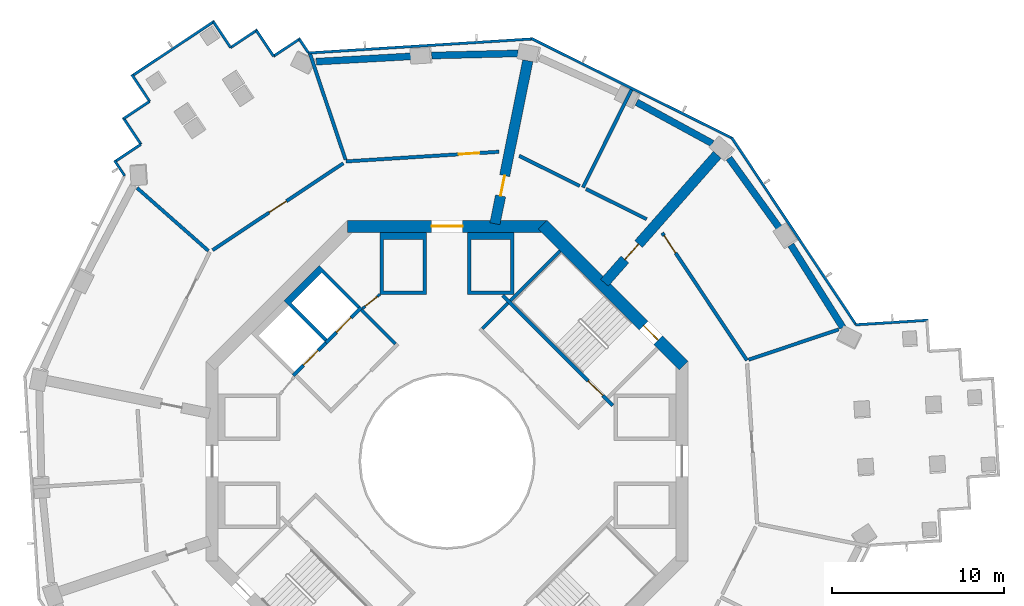
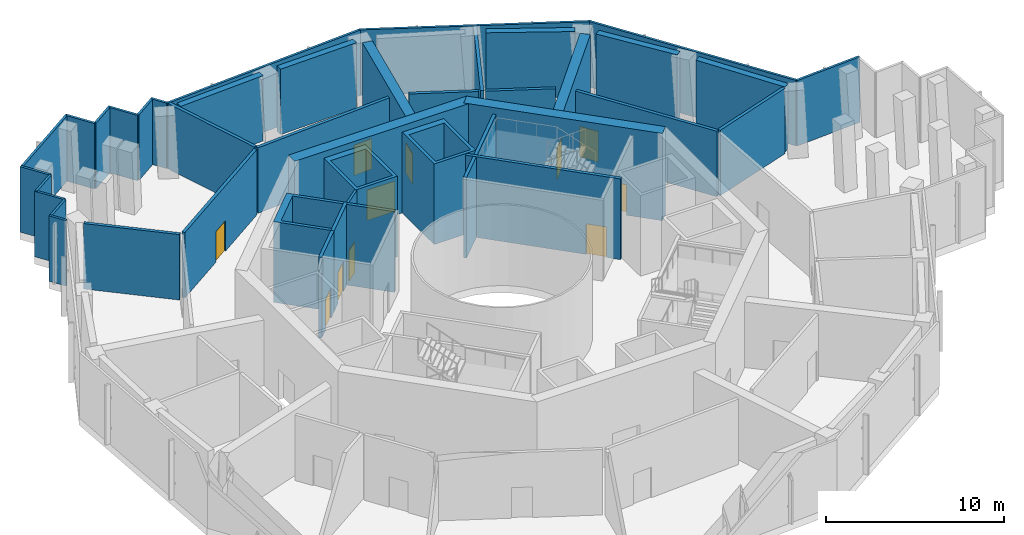
# One storey, part 4 of 16: 43 walls, 11 doors, 11 openings.
"""IFC4 building model written with IfcOpenShell, lengths in metres."""

import ifcopenshell
import ifcopenshell.guid

model = None  # the IFC model being written
_history = None  # IfcOwnerHistory: only IFC2X3 demands one
_inside = {}  # id of a spatial element -> (the spatial element, [elements in it])
_under = {}  # id of a project, library or spatial element -> (it, [spatial elements below it])
_declared = {}  # id of a project -> (the project, [libraries it declares])
_typed = {}  # id of a type object -> (the type object, [elements of that type])
_made_of = {}  # id of a material, layer set ... -> (it, [elements and type objects made of it])


def new_model(schema):
    """Start an empty IFC model of exactly this schema.

    Asked for "IFC4X3", IfcOpenShell would pick the latest addendum, in which some entities
    have other attributes; the version numbers below select the first issue.
    IFC2X3 requires an IfcOwnerHistory on every rooted entity: one is made here for all.
    """
    global model, _history
    if schema == "IFC4X3":
        model = ifcopenshell.file(schema_version=(4, 3, 0, 0))
    else:
        model = ifcopenshell.file(schema=schema)
    _inside.clear()
    _under.clear()
    _declared.clear()
    _typed.clear()
    _made_of.clear()
    _history = None
    if model.schema == "IFC2X3":
        org = make("IfcOrganization", Name="unknown")
        user = make(
            "IfcPersonAndOrganization",
            ThePerson=make("IfcPerson", FamilyName="unknown"),
            TheOrganization=org,
        )
        app = make(
            "IfcApplication",
            ApplicationDeveloper=org,
            Version="unknown",
            ApplicationFullName="unknown",
            ApplicationIdentifier="unknown",
        )
        _history = make(
            "IfcOwnerHistory",
            OwningUser=user,
            OwningApplication=app,
            ChangeAction="ADDED",
            CreationDate=0,
        )
    return model


def make(cls, **values):
    """One entity of the class cls with the attributes given. An attribute that is None is left unset."""
    return model.create_entity(
        cls, **{name: value for name, value in values.items() if value is not None}
    )


def rooted(cls, **values):
    """An entity with a GlobalId (a new one), such as an element, a storey or a relation."""
    return make(cls, GlobalId=ifcopenshell.guid.new(), OwnerHistory=_history, **values)


def si_unit(unit_type, name, prefix=None):
    """IfcSIUnit, for example si_unit("LENGTHUNIT", "METRE", prefix="MILLI")."""
    return make("IfcSIUnit", UnitType=unit_type, Prefix=prefix, Name=name)


def assignment(units):
    """IfcUnitAssignment: the units of a project."""
    return None if units is None else make("IfcUnitAssignment", Units=units)


def point(xyz):
    """IfcCartesianPoint."""
    return None if xyz is None else make("IfcCartesianPoint", Coordinates=xyz)


def direction(xyz):
    """IfcDirection."""
    return None if xyz is None else make("IfcDirection", DirectionRatios=xyz)


def frame(location, z_axis=None, x_axis=None):
    """IfcAxis2Placement3D, a coordinate frame: its origin and axes. An axis left out is left unset."""
    return make(
        "IfcAxis2Placement3D",
        Location=point(location),
        Axis=direction(z_axis),
        RefDirection=direction(x_axis),
    )


def frame_2d(location, x_axis=None):
    """IfcAxis2Placement2D, a coordinate frame in the plane: its origin and x axis."""
    return make(
        "IfcAxis2Placement2D", Location=point(location), RefDirection=direction(x_axis)
    )


def origin():
    """The frame at (0, 0, 0) with its axes left unset."""
    return frame((0.0, 0.0, 0.0))


def place(relative_to, where):
    """IfcLocalPlacement: puts the frame where relative to a parent placement (None: the world)."""
    return make(
        "IfcLocalPlacement", PlacementRelTo=relative_to, RelativePlacement=where
    )


def context(
    kind, dimensions, precision=None, world=None, true_north=None, identifier=None
):
    """IfcGeometricRepresentationContext, for example the 3D "Model" context."""
    return make(
        "IfcGeometricRepresentationContext",
        ContextIdentifier=identifier,
        ContextType=kind,
        CoordinateSpaceDimension=dimensions,
        Precision=precision,
        WorldCoordinateSystem=world,
        TrueNorth=true_north,
    )


def subcontext(parent, identifier, kind, view, scale=None):
    """IfcGeometricRepresentationSubContext, for example "Body" below "Model"."""
    return make(
        "IfcGeometricRepresentationSubContext",
        ContextIdentifier=identifier,
        ContextType=kind,
        ParentContext=parent,
        TargetScale=scale,
        TargetView=view,
    )


def project(units=None, contexts=None):
    """IfcProject with its units and contexts."""
    return rooted(
        "IfcProject",
        Name="project",
        RepresentationContexts=contexts,
        UnitsInContext=assignment(units),
    )


def spatial(cls, under=None, at=None, **own):
    """A site, building, storey or space (cls), placed at a placement, below another one or the project."""
    s = rooted(cls, ObjectPlacement=at, **own)
    if under is not None:
        _under.setdefault(under.id(), (under, []))[1].append(s)
    return s


def polyline(points):
    """IfcPolyline through the points."""
    return make("IfcPolyline", Points=[point(p) for p in points])


def profile(cls, at=None, kind="AREA", **sizes):
    """A parametric profile (cls). Its sizes go by their IFC names, for example OverallWidth=200.0."""
    return make(cls, ProfileType=kind, Position=at, **sizes)


def rectangle(**sizes):
    """IfcRectangleProfileDef."""
    return profile("IfcRectangleProfileDef", **sizes)


def outline(outer, holes=None, kind="AREA"):
    """IfcArbitraryClosedProfileDef: a profile drawn as a closed curve; with holes, ...WithVoids."""
    if holes is None:
        return make("IfcArbitraryClosedProfileDef", ProfileType=kind, OuterCurve=outer)
    return make(
        "IfcArbitraryProfileDefWithVoids",
        ProfileType=kind,
        OuterCurve=outer,
        InnerCurves=holes,
    )


def extrude(swept, where, along, depth):
    """IfcExtrudedAreaSolid: the profile swept, set in the frame where, extruded along a direction by depth."""
    return make(
        "IfcExtrudedAreaSolid",
        SweptArea=swept,
        Position=where,
        ExtrudedDirection=direction(along),
        Depth=depth,
    )


def shape(context_of_items, identifier, shape_type, items):
    """IfcShapeRepresentation: the items that make up one representation, for example the "Body"."""
    return make(
        "IfcShapeRepresentation",
        ContextOfItems=context_of_items,
        RepresentationIdentifier=identifier,
        RepresentationType=shape_type,
        Items=items,
    )


def material(Name=None, Category=None):
    """IfcMaterial."""
    return make("IfcMaterial", Name=Name, Category=Category)


def layer(
    of_material, thickness, ventilated=None, Name=None, Category=None, Priority=None
):
    """IfcMaterialLayer: one layer of a wall or slab, of a material (None: an air gap)."""
    return make(
        "IfcMaterialLayer",
        Material=of_material,
        LayerThickness=thickness,
        IsVentilated=ventilated,
        Name=Name,
        Category=Category,
        Priority=Priority,
    )


def layer_set(layers, Name=None):
    """IfcMaterialLayerSet."""
    return make("IfcMaterialLayerSet", MaterialLayers=layers, LayerSetName=Name)


def made_of(thing, what):
    """Note that an element or type object is made of a material, layer set ...; save() writes the relation."""
    if what is not None:
        _made_of.setdefault(what.id(), (what, []))[1].append(thing)
    return thing


def type_object(cls, material=None, **own):
    """A type object (cls), such as IfcWallType, which elements share."""
    return made_of(rooted(cls, **own), material)


def element(
    cls,
    number,
    at=None,
    inside=None,
    cuts=None,
    type_object=None,
    material=None,
    context=None,
    identifier="Body",
    shape_type=None,
    held_by="IfcProductDefinitionShape",
    body=None,
    shapes=None,
    **own,
):
    """One element of the class cls, such as IfcWall. Its Tag is "e" and its number.

    at: its placement. inside: the storey or other place that contains it. cuts: it is an
    opening in that element (IfcRelVoidsElement). A single representation is given by context,
    identifier, shape_type and body (its items); several are given by shapes. held_by: the class
    of the entity that holds the representations. save() writes the other relations.
    """
    e = rooted(cls, Tag="e%d" % number, ObjectPlacement=at, **own)
    if body is not None:
        shapes = [shape(context, identifier, shape_type, body)]
    if shapes is not None:
        e.Representation = make(held_by, Representations=shapes)
    if inside is not None:
        _inside.setdefault(inside.id(), (inside, []))[1].append(e)
    if cuts is not None:
        rooted(
            "IfcRelVoidsElement", RelatingBuildingElement=cuts, RelatedOpeningElement=e
        )
    if type_object is not None:
        _typed.setdefault(type_object.id(), (type_object, []))[1].append(e)
    return made_of(e, material)


def fill(opening, filler):
    """IfcRelFillsElement: the door or window that sits in an opening."""
    return rooted(
        "IfcRelFillsElement",
        RelatingOpeningElement=opening,
        RelatedBuildingElement=filler,
    )


def aggregate(whole, parts):
    """IfcRelAggregates: a whole, such as a stair, and the parts it consists of."""
    return rooted("IfcRelAggregates", RelatingObject=whole, RelatedObjects=parts)


def save(model, path):
    """Write the relations noted so far, then the file.

    IfcRelAggregates (storeys below a building ...), IfcRelContainedInSpatialStructure (elements
    in a storey), IfcRelDefinesByType, IfcRelAssociatesMaterial and IfcRelDeclares: one each for
    every whole, place, type object, material and project.
    """
    for whole, parts in _under.values():
        aggregate(whole, parts)
    for where, things in _inside.values():
        rooted(
            "IfcRelContainedInSpatialStructure",
            RelatedElements=things,
            RelatingStructure=where,
        )
    for kind, things in _typed.values():
        rooted("IfcRelDefinesByType", RelatedObjects=things, RelatingType=kind)
    for what, things in _made_of.values():
        rooted("IfcRelAssociatesMaterial", RelatedObjects=things, RelatingMaterial=what)
    for by, libraries in _declared.values():
        rooted("IfcRelDeclares", RelatingContext=by, RelatedDefinitions=libraries)
    model.write(path)


model = new_model("IFC4")

# Units and contexts
model_context = context("Model", 3, precision=1e-05, world=origin(), true_north=direction((0.0, 1.0)))
body_context = subcontext(model_context, "Body", "Model", "MODEL_VIEW")
ifc_project = project(units=[si_unit("LENGTHUNIT", "METRE"), si_unit("AREAUNIT", "SQUARE_METRE"), si_unit("VOLUMEUNIT", "CUBIC_METRE"), si_unit("PLANEANGLEUNIT", "RADIAN"), si_unit("MASSUNIT", "GRAM", prefix="KILO")], contexts=[model_context])

# Site, building, storey
site_placement = place(None, origin())
site = spatial("IfcSite", under=ifc_project, at=site_placement, CompositionType="ELEMENT")
building_placement = place(site_placement, origin())
building = spatial("IfcBuilding", under=site, at=building_placement, Name="Verdalira Terraces Hotel", CompositionType="ELEMENT")
storey_placement = place(building_placement, frame((0.0, 0.0, 169.0)))
storey = spatial("IfcBuildingStorey", under=building, at=storey_placement, Name="L41", CompositionType="ELEMENT", Elevation=169.0)

# Walls
ifc_material_1 = material(Name="Concrete C70", Category="concrete")
ifc_layer_1 = layer(ifc_material_1, 0.39990234375)
ifc_layer_set_1 = layer_set([ifc_layer_1], Name="Belt wall 400 C70")
wall_type_1 = type_object("IfcWallType", Name="Belt wall 400 C70", PredefinedType="SHEAR", material=ifc_layer_set_1)
wall_1_placement = place(storey_placement, frame((22.994873, 7.775879, 0.0), z_axis=(0.0, 0.0, 1.0), x_axis=(-0.532920717, 0.846165179, 0.0)))
element("IfcWall", 1, at=wall_1_placement, inside=storey, type_object=wall_type_1, Name="Belt wall BW-41-13", PredefinedType="SHEAR", context=body_context, shape_type="SweptSolid", body=[
    extrude(rectangle(XDim=5.664551, YDim=0.399902, at=frame_2d((2.832275, 0.0))), origin(), (0.0, 0.0, 1.0), 4.5),
])
for number, where, z_axis, x_axis, name in (
    (2, (19.317627, 13.544678, 0.0), (0.0, 0.0, 1.0), (-0.584857459, 0.811136088, 0.0), "Belt wall BW-41-14"),
    (3, (15.418945, 18.463379, 0.0), (0.0, 0.0, 1.0), (-0.878031382, 0.478603064, 0.0), "Belt wall BW-41-15"),
):
    element("IfcWall", number, at=place(storey_placement, frame(where, z_axis=z_axis, x_axis=x_axis)), inside=storey, type_object=wall_type_1, Name=name, PredefinedType="SHEAR", context=body_context, shape_type="SweptSolid", body=[
        extrude(rectangle(XDim=5.013916, YDim=0.399902, at=frame_2d((2.506836, 0.0))), origin(), (0.0, 0.0, 1.0), 4.5),
    ])
wall_2_placement = place(storey_placement, frame((4.121582, 23.699219, 0.0), z_axis=(0.0, 0.0, 1.0), x_axis=(-0.999699992, -0.02449338, 0.0)))
element("IfcWall", 4, at=wall_2_placement, inside=storey, type_object=wall_type_1, Name="Belt wall BW-41-17", PredefinedType="SHEAR", context=body_context, shape_type="SweptSolid", body=[
    extrude(rectangle(XDim=5.013672, YDim=0.399902, at=frame_2d((2.506836, 0.0))), origin(), (0.0, 0.0, 1.0), 4.5),
])
wall_3_placement = place(storey_placement, frame((-2.059814, 23.529785, 0.0), z_axis=(0.0, 0.0, 1.0), x_axis=(-0.998455745, -0.055552912, 0.0)))
element("IfcWall", 5, at=wall_3_placement, inside=storey, type_object=wall_type_1, Name="Belt wall BW-41-18", PredefinedType="SHEAR", context=body_context, shape_type="SweptSolid", body=[
    extrude(rectangle(XDim=5.546143, YDim=0.399902, at=frame_2d((2.772949, 0.0))), origin(), (0.0, 0.0, 1.0), 4.5),
])
ifc_material_2 = material(Name="Concrete C50", Category="concrete")
ifc_layer_2 = layer(ifc_material_2, 0.199951171875)
ifc_layer_set_2 = layer_set([ifc_layer_2], Name="Core RC wall 200 C50")
wall_type_2 = type_object("IfcWallType", Name="Core RC wall 200 C50", PredefinedType="SOLIDWALL", material=ifc_layer_set_2)
wall_4_placement = place(storey_placement, origin())
element("IfcWall", 6, at=wall_4_placement, inside=storey, type_object=wall_type_2, Name="L41 shaft wall N1", PredefinedType="SOLIDWALL", context=body_context, shape_type="SweptSolid", body=[
    extrude(outline(polyline([(1.199951, 13.300049), (3.899902, 13.300049), (3.899902, 9.699951), (1.199951, 9.699951), (1.199951, 13.300049)]), holes=[polyline([(3.699951, 9.899902), (3.699951, 12.899902), (1.399902, 12.899902), (1.399902, 9.899902), (3.699951, 9.899902)])]), origin(), (0.0, 0.0, 1.0), 5.550049),
])
wall_5_placement = place(storey_placement, origin())
element("IfcWall", 7, at=wall_5_placement, inside=storey, type_object=wall_type_2, Name="L41 shaft wall N2", PredefinedType="SOLIDWALL", context=body_context, shape_type="SweptSolid", body=[
    extrude(outline(polyline([(-3.899902, 9.699951), (-3.899902, 13.300049), (-1.199951, 13.300049), (-1.199951, 9.699951), (-3.899902, 9.699951)]), holes=[polyline([(-1.399902, 12.899902), (-3.699951, 12.899902), (-3.699951, 9.899902), (-1.399902, 9.899902), (-1.399902, 12.899902)])]), origin(), (0.0, 0.0, 1.0), 5.550049),
])
wall_6_placement = place(storey_placement, origin())
element("IfcWall", 8, at=wall_6_placement, inside=storey, type_object=wall_type_2, Name="L41 shaft wall F1", PredefinedType="SOLIDWALL", context=body_context, shape_type="SweptSolid", body=[
    extrude(outline(polyline([(-9.475098, 9.33374), (-7.424561, 11.384521), (-5.055908, 9.015625), (-5.197266, 8.874268), (-7.283203, 10.960205), (-9.051025, 9.192383), (-6.965088, 7.106445), (-7.106445, 6.965088), (-9.475098, 9.33374)])), origin(), (0.0, 0.0, 1.0), 5.550049),
])

# Wall, opening, door
wall_7_placement = place(storey_placement, frame((-4.985107, 8.944824, 0.0), z_axis=(0.0, 0.0, 1.0), x_axis=(-0.707106781, -0.707106781, 0.0)))
wall_7 = element("IfcWall", 9, at=wall_7_placement, inside=storey, type_object=wall_type_2, Name="L41 shaft front wall F1", PredefinedType="SOLIDWALL", context=body_context, shape_type="SweptSolid", body=[
    extrude(rectangle(XDim=2.899902, YDim=0.199951, at=frame_2d((1.449951, 0.0))), origin(), (0.0, 0.0, 1.0), 5.550049),
])
opening_1_placement = place(wall_7_placement, frame((0.850098, 0.0, 0.0)))
opening_1 = element("IfcOpeningElement", 10, at=opening_1_placement, cuts=wall_7, Name="Opening LD-L41-801", PredefinedType="OPENING", context=body_context, shape_type="SweptSolid", body=[
    extrude(rectangle(XDim=1.199951, YDim=2.100098, at=frame_2d((0.600098, 1.050049))), frame((0.0, 0.109863, 0.0), z_axis=(0.0, -1.0, 0.0), x_axis=(1.0, 0.0, 0.0)), (0.0, 0.0, 1.0), 0.219971),
])
ifc_material_3 = material(Name="Stainless steel", Category="steel")
door_type_1 = type_object("IfcDoorType", Name="Landing door 1200 x 2100", OperationType="NOTDEFINED", PredefinedType="DOOR", material=ifc_material_3)
door_1_placement = place(opening_1_placement, origin())
door_1 = element("IfcDoor", 11, at=door_1_placement, inside=storey, type_object=door_type_1, Name="Lift landing door LF11 L41", OperationType="DOUBLE_DOOR_SLIDING", OverallHeight=2.10009765625, OverallWidth=1.199951171875, PredefinedType="DOOR", context=body_context, shape_type="SweptSolid", body=[
    extrude(rectangle(XDim=1.199951, YDim=2.100098, at=frame_2d((0.600098, 1.050049))), frame((0.0, 0.024902, 0.0), z_axis=(0.0, -1.0, 0.0), x_axis=(1.0, 0.0, 0.0)), (0.0, 0.0, 1.0), 0.050049),
])
fill(opening_1, door_1)

wall_8_placement = place(storey_placement, frame((-7.035645, 6.894287, 0.0), z_axis=(0.0, 0.0, 1.0), x_axis=(-0.707106781, -0.707106781, 0.0)))
wall_8 = element("IfcWall", 12, at=wall_8_placement, inside=storey, type_object=wall_type_2, Name="L41 shaft front wall F2", PredefinedType="SOLIDWALL", context=body_context, shape_type="SweptSolid", body=[
    extrude(rectangle(XDim=2.699951, YDim=0.199951, at=frame_2d((1.350098, 0.0))), origin(), (0.0, 0.0, 1.0), 5.550049),
])
opening_2_placement = place(wall_8_placement, frame((0.649902, 0.0, 0.0)))
opening_2 = element("IfcOpeningElement", 13, at=opening_2_placement, cuts=wall_8, Name="Opening LD-L41-802", PredefinedType="OPENING", context=body_context, shape_type="SweptSolid", body=[
    extrude(rectangle(XDim=1.199951, YDim=2.100098, at=frame_2d((0.600098, 1.050049))), frame((0.0, 0.109863, 0.0), z_axis=(0.0, -1.0, 0.0), x_axis=(1.0, 0.0, 0.0)), (0.0, 0.0, 1.0), 0.219971),
])
door_2_placement = place(opening_2_placement, origin())
door_2 = element("IfcDoor", 14, at=door_2_placement, inside=storey, type_object=door_type_1, Name="Lift landing door LF12 L41", OperationType="DOUBLE_DOOR_SLIDING", OverallHeight=2.10009765625, OverallWidth=1.199951171875, PredefinedType="DOOR", context=body_context, shape_type="SweptSolid", body=[
    extrude(rectangle(XDim=1.199951, YDim=2.100098, at=frame_2d((0.600098, 1.050049))), frame((0.0, 0.024902, 0.0), z_axis=(0.0, -1.0, 0.0), x_axis=(1.0, 0.0, 0.0)), (0.0, 0.0, 1.0), 0.050049),
])
fill(opening_2, door_2)

wall_9_placement = place(storey_placement, frame((3.23999, 9.629395, 0.0), z_axis=(0.0, 0.0, 1.0), x_axis=(0.707106781, -0.707106781, 0.0)))
wall_9 = element("IfcWall", 15, at=wall_9_placement, inside=storey, type_object=wall_type_2, Name="L41 stair ST1 front wall", PredefinedType="SOLIDWALL", context=body_context, shape_type="SweptSolid", body=[
    extrude(rectangle(XDim=9.035889, YDim=0.199951, at=frame_2d((4.518066, 0.0))), origin(), (0.0, 0.0, 1.0), 5.550049),
])
opening_3_placement = place(wall_9_placement, frame((7.017822, 0.0, 0.0)))
opening_3 = element("IfcOpeningElement", 16, at=opening_3_placement, cuts=wall_9, Name="Opening L41-803", PredefinedType="OPENING", context=body_context, shape_type="SweptSolid", body=[
    extrude(rectangle(XDim=1.199951, YDim=2.100098, at=frame_2d((0.600098, 1.050049))), frame((0.0, 0.109863, 0.0), z_axis=(0.0, -1.0, 0.0), x_axis=(1.0, 0.0, 0.0)), (0.0, 0.0, 1.0), 0.219971),
])
ifc_material_4 = material(Name="Steel fire door", Category="steel")
door_type_2 = type_object("IfcDoorType", Name="Stair door 1200 x 2100", OperationType="NOTDEFINED", PredefinedType="DOOR", material=ifc_material_4)
door_3_placement = place(opening_3_placement, origin())
door_3 = element("IfcDoor", 17, at=door_3_placement, inside=storey, type_object=door_type_2, Name="Stair door ST1 L41", OperationType="SINGLE_SWING_RIGHT", OverallHeight=2.10009765625, OverallWidth=1.199951171875, PredefinedType="DOOR", context=body_context, shape_type="SweptSolid", body=[
    extrude(rectangle(XDim=1.199951, YDim=2.100098, at=frame_2d((0.600098, 1.050049))), frame((0.0, 0.024902, 0.0), z_axis=(0.0, -1.0, 0.0), x_axis=(1.0, 0.0, 0.0)), (0.0, 0.0, 1.0), 0.050049),
])
fill(opening_3, door_3)

# Walls
wall_10_placement = place(storey_placement, frame((3.677002, 9.33374, 0.0), z_axis=(0.0, 0.0, 1.0), x_axis=(0.707106781, 0.707106781, 0.0)))
element("IfcWall", 18, at=wall_10_placement, inside=storey, type_object=wall_type_2, Name="L41 stair ST1 end wall 2", PredefinedType="SOLIDWALL", context=body_context, shape_type="SweptSolid", body=[
    extrude(rectangle(XDim=4.100098, YDim=0.199951, at=frame_2d((2.050049, 0.0))), origin(), (0.0, 0.0, 1.0), 5.550049),
])
wall_11_placement = place(storey_placement, frame((-3.005127, 6.823486, 0.0), z_axis=(0.0, 0.0, 1.0), x_axis=(-0.707106781, 0.707106781, 0.0)))
element("IfcWall", 19, at=wall_11_placement, inside=storey, type_object=wall_type_2, Name="L41 fire lobby wall", PredefinedType="SOLIDWALL", context=body_context, shape_type="SweptSolid", body=[
    extrude(rectangle(XDim=2.800049, YDim=0.199951, at=frame_2d((1.399902, 0.0))), origin(), (0.0, 0.0, 1.0), 5.550049),
])
wall_12_placement = place(storey_placement, frame((2.050537, 7.70752, 0.0), z_axis=(0.0, 0.0, 1.0), x_axis=(0.707106781, 0.707106781, 0.0)))
element("IfcWall", 20, at=wall_12_placement, inside=storey, type_object=wall_type_2, Name="Stair lobby wall ST1 L41", PredefinedType="SOLIDWALL", context=body_context, shape_type="SweptSolid", body=[
    extrude(rectangle(XDim=2.099854, YDim=0.199951, at=frame_2d((1.049805, 0.0))), origin(), (0.0, 0.0, 1.0), 5.550049),
])

# Wall, opening, door
ifc_material_5 = material(Name="Gypsum board partition")
ifc_layer_3 = layer(ifc_material_5, 0.14990234375)
ifc_layer_set_3 = layer_set([ifc_layer_3], Name="Core partition 150 mm")
wall_type_3 = type_object("IfcWallType", Name="Core partition 150 mm", PredefinedType="PARTITIONING", material=ifc_layer_set_3)
wall_13_placement = place(storey_placement, frame((-3.899902, 9.699951, 0.0), z_axis=(0.0, 0.0, 1.0), x_axis=(-0.775559878, -0.631274009, 0.0)))
wall_13 = element("IfcWall", 21, at=wall_13_placement, inside=storey, type_object=wall_type_3, Name="Room partition L41", PredefinedType="PARTITIONING", context=body_context, shape_type="SweptSolid", body=[
    extrude(rectangle(XDim=1.307861, YDim=0.149902, at=frame_2d((0.653809, 0.0))), origin(), (0.0, 0.0, 1.0), 5.550049),
])
opening_4_placement = place(wall_13_placement, frame((0.204102, 0.0, 0.0)))
opening_4 = element("IfcOpeningElement", 22, at=opening_4_placement, cuts=wall_13, Name="Opening L41-814", PredefinedType="OPENING", context=body_context, shape_type="SweptSolid", body=[
    extrude(rectangle(XDim=0.899902, YDim=2.100098, at=frame_2d((0.449951, 1.050049))), frame((0.0, 0.084961, 0.0), z_axis=(0.0, -1.0, 0.0), x_axis=(1.0, 0.0, 0.0)), (0.0, 0.0, 1.0), 0.169922),
])
ifc_material_6 = material(Name="Steel fire door", Category="steel")
door_type_3 = type_object("IfcDoorType", Name="Core room door 900 x 2100", OperationType="NOTDEFINED", PredefinedType="DOOR", material=ifc_material_6)
door_4_placement = place(opening_4_placement, origin())
door_4 = element("IfcDoor", 23, at=door_4_placement, inside=storey, type_object=door_type_3, Name="Door L41 room2", OperationType="SINGLE_SWING_LEFT", OverallHeight=2.10009765625, OverallWidth=0.89990234375, PredefinedType="DOOR", context=body_context, shape_type="SweptSolid", body=[
    extrude(rectangle(XDim=0.899902, YDim=2.100098, at=frame_2d((0.449951, 1.050049))), frame((0.0, 0.024902, 0.0), z_axis=(0.0, -1.0, 0.0), x_axis=(1.0, 0.0, 0.0)), (0.0, 0.0, 1.0), 0.050049),
])
fill(opening_4, door_4)

ifc_material_7 = material(Name="Concrete C60", Category="concrete")
ifc_layer_4 = layer(ifc_material_7, 0.699951171875)
ifc_layer_set_4 = layer_set([ifc_layer_4], Name="Core wall 700 C60")
wall_type_4 = type_object("IfcWallType", Name="Core wall 700 C60", PredefinedType="SHEAR", material=ifc_layer_set_4)
wall_14_placement = place(storey_placement, frame((13.752441, 5.551514, 0.0), z_axis=(0.0, 0.0, 1.0), x_axis=(-0.707106781, 0.707106781, 0.0)))
wall_14 = element("IfcWall", 24, at=wall_14_placement, inside=storey, type_object=wall_type_4, Name="Core wall CW-L41-2", PredefinedType="SHEAR", context=body_context, shape_type="SweptSolid", body=[
    extrude(rectangle(XDim=11.5979, YDim=0.699951, at=frame_2d((5.798828, 0.0))), origin(), (0.0, 0.0, 1.0), 6.0),
])
opening_5_placement = place(wall_14_placement, frame((2.099121, 0.0, 0.0)))
opening_5 = element("IfcOpeningElement", 25, at=opening_5_placement, cuts=wall_14, Name="Opening L41-810", PredefinedType="OPENING", context=body_context, shape_type="SweptSolid", body=[
    extrude(rectangle(XDim=1.199951, YDim=2.100098, at=frame_2d((0.600098, 1.050049))), frame((0.0, 0.359863, 0.0), z_axis=(0.0, -1.0, 0.0), x_axis=(1.0, 0.0, 0.0)), (0.0, 0.0, 1.0), 0.719971),
])
door_5_placement = place(opening_5_placement, origin())
door_5 = element("IfcDoor", 26, at=door_5_placement, inside=storey, type_object=door_type_2, Name="Stair exit door ST1 L41", OperationType="SINGLE_SWING_LEFT", OverallHeight=2.10009765625, OverallWidth=1.199951171875, PredefinedType="DOOR", context=body_context, shape_type="SweptSolid", body=[
    extrude(rectangle(XDim=1.199951, YDim=2.100098, at=frame_2d((0.600098, 1.050049))), frame((0.0, 0.024902, 0.0), z_axis=(0.0, -1.0, 0.0), x_axis=(1.0, 0.0, 0.0)), (0.0, 0.0, 1.0), 0.050049),
])
fill(opening_5, door_5)

wall_15_placement = place(storey_placement, frame((5.799072, 13.649902, 0.0), z_axis=(0.0, 0.0, 1.0), x_axis=(-1.0, 0.0, 0.0)))
wall_15 = element("IfcWall", 27, at=wall_15_placement, inside=storey, type_object=wall_type_4, Name="Core wall CW-L41-3", PredefinedType="SHEAR", context=body_context, shape_type="SweptSolid", body=[
    extrude(rectangle(XDim=11.598145, YDim=0.699951, at=frame_2d((5.799072, 0.0))), origin(), (0.0, 0.0, 1.0), 6.0),
])
opening_6_placement = place(wall_15_placement, frame((4.898926, 0.0, 0.0)))
opening_6 = element("IfcOpeningElement", 28, at=opening_6_placement, cuts=wall_15, Name="Opening L41-807", PredefinedType="OPENING", context=body_context, shape_type="SweptSolid", body=[
    extrude(rectangle(XDim=1.800049, YDim=2.100098, at=frame_2d((0.899902, 1.050049))), frame((0.0, 0.359863, 0.0), z_axis=(0.0, -1.0, 0.0), x_axis=(1.0, 0.0, 0.0)), (0.0, 0.0, 1.0), 0.719971),
])
ifc_material_8 = material(Name="Steel fire door", Category="steel")
door_type_4 = type_object("IfcDoorType", Name="Core entry door pair 1800 x 2100", OperationType="NOTDEFINED", PredefinedType="DOOR", material=ifc_material_8)
door_6_placement = place(opening_6_placement, origin())
door_6 = element("IfcDoor", 29, at=door_6_placement, inside=storey, type_object=door_type_4, Name="Core entry door L41 2", OperationType="DOUBLE_DOOR_SINGLE_SWING", OverallHeight=2.10009765625, OverallWidth=1.800048828125, PredefinedType="DOOR", context=body_context, shape_type="SweptSolid", body=[
    extrude(rectangle(XDim=1.800049, YDim=2.100098, at=frame_2d((0.899902, 1.050049))), frame((0.0, 0.024902, 0.0), z_axis=(0.0, -1.0, 0.0), x_axis=(1.0, 0.0, 0.0)), (0.0, 0.0, 1.0), 0.050049),
])
fill(opening_6, door_6)

ifc_material_9 = material(Name="Concrete C70", Category="concrete")
ifc_layer_5 = layer(ifc_material_9, 0.60009765625)
ifc_layer_set_5 = layer_set([ifc_layer_5], Name="Outrigger wall 600 C70")
wall_type_5 = type_object("IfcWallType", Name="Outrigger wall 600 C70", PredefinedType="SHEAR", material=ifc_layer_set_5)
wall_16_placement = place(storey_placement, frame((9.144287, 10.372314, 0.0), z_axis=(0.0, 0.0, 1.0), x_axis=(0.661329223, 0.750095767, 0.0)))
wall_16 = element("IfcWall", 30, at=wall_16_placement, inside=storey, type_object=wall_type_5, Name="Outrigger wall OW-41-5", PredefinedType="SHEAR", context=body_context, shape_type="SweptSolid", body=[
    extrude(rectangle(XDim=9.915039, YDim=0.600098, at=frame_2d((4.95752, 0.0))), origin(), (0.0, 0.0, 1.0), 4.5),
])
opening_7_placement = place(wall_16_placement, frame((1.800049, 0.0, 0.0)))
opening_7 = element("IfcOpeningElement", 31, at=opening_7_placement, cuts=wall_16, Name="Opening L41-105", PredefinedType="OPENING", context=body_context, shape_type="SweptSolid", body=[
    extrude(rectangle(XDim=1.199951, YDim=2.100098, at=frame_2d((0.600098, 1.050049))), frame((0.0, 0.310059, 0.0), z_axis=(0.0, -1.0, 0.0), x_axis=(1.0, 0.0, 0.0)), (0.0, 0.0, 1.0), 0.620117),
])
ifc_material_10 = material(Name="Steel fire door", Category="steel")
door_type_5 = type_object("IfcDoorType", Name="Plant room door 1200 x 2100", OperationType="NOTDEFINED", PredefinedType="DOOR", material=ifc_material_10)
door_7_placement = place(opening_7_placement, origin())
door_7 = element("IfcDoor", 32, at=door_7_placement, inside=storey, type_object=door_type_5, Name="Plant room door", OperationType="SINGLE_SWING_LEFT", OverallHeight=2.10009765625, OverallWidth=1.199951171875, PredefinedType="DOOR", context=body_context, shape_type="SweptSolid", body=[
    extrude(rectangle(XDim=1.199951, YDim=2.100098, at=frame_2d((0.600098, 1.050049))), frame((0.0, 0.024902, 0.0), z_axis=(0.0, -1.0, 0.0), x_axis=(1.0, 0.0, 0.0)), (0.0, 0.0, 1.0), 0.050049),
])
fill(opening_7, door_7)

wall_17_placement = place(storey_placement, frame((2.783447, 13.803955, 0.0), z_axis=(0.0, 0.0, 1.0), x_axis=(0.197641857, 0.980274297, 0.0)))
wall_17 = element("IfcWall", 33, at=wall_17_placement, inside=storey, type_object=wall_type_5, Name="Outrigger wall OW-41-6", PredefinedType="SHEAR", context=body_context, shape_type="SweptSolid", body=[
    extrude(rectangle(XDim=9.661133, YDim=0.600098, at=frame_2d((4.830566, 0.0))), origin(), (0.0, 0.0, 1.0), 4.5),
])
opening_8_placement = place(wall_17_placement, frame((1.649902, 0.0, 0.0)))
opening_8 = element("IfcOpeningElement", 34, at=opening_8_placement, cuts=wall_17, Name="Opening L41-106", PredefinedType="OPENING", context=body_context, shape_type="SweptSolid", body=[
    extrude(rectangle(XDim=1.199951, YDim=2.100098, at=frame_2d((0.600098, 1.050049))), frame((0.0, 0.310059, 0.0), z_axis=(0.0, -1.0, 0.0), x_axis=(1.0, 0.0, 0.0)), (0.0, 0.0, 1.0), 0.620117),
])
door_8_placement = place(opening_8_placement, origin())
door_8 = element("IfcDoor", 35, at=door_8_placement, inside=storey, type_object=door_type_5, Name="Plant room door", OperationType="SINGLE_SWING_LEFT", OverallHeight=2.10009765625, OverallWidth=1.199951171875, PredefinedType="DOOR", context=body_context, shape_type="SweptSolid", body=[
    extrude(rectangle(XDim=1.199951, YDim=2.100098, at=frame_2d((0.600098, 1.050049))), frame((0.0, 0.024902, 0.0), z_axis=(0.0, -1.0, 0.0), x_axis=(1.0, 0.0, 0.0)), (0.0, 0.0, 1.0), 0.050049),
])
fill(opening_8, door_8)

# Wall
ifc_material_11 = material(Name="Fire-rated concrete block wall", Category="concrete")
ifc_layer_6 = layer(ifc_material_11, 0.199951171875)
ifc_layer_set_6 = layer_set([ifc_layer_6], Name="Plant room wall 200 mm")
wall_type_6 = type_object("IfcWallType", Name="Plant room wall 200 mm", PredefinedType="SOLIDWALL", material=ifc_layer_set_6)
wall_18_placement = place(storey_placement, frame((-13.868408, 12.226562, 0.0), z_axis=(0.0, 0.0, 1.0), x_axis=(-0.750094387, 0.661330788, 0.0)))
element("IfcWall", 36, at=wall_18_placement, inside=storey, type_object=wall_type_6, Name="Plant room wall", PredefinedType="SOLIDWALL", context=body_context, shape_type="SweptSolid", body=[
    extrude(rectangle(XDim=5.525635, YDim=0.199951, at=frame_2d((2.762695, 0.0))), origin(), (0.0, 0.0, 1.0), 4.5),
])

# Wall, opening, door
wall_19_placement = place(storey_placement, frame((-13.624023, 12.268799, 0.0), z_axis=(0.0, 0.0, 1.0), x_axis=(0.832930915, 0.553376987, 0.0)))
wall_19 = element("IfcWall", 37, at=wall_19_placement, inside=storey, type_object=wall_type_6, Name="Plant room wall", PredefinedType="SOLIDWALL", context=body_context, shape_type="SweptSolid", body=[
    extrude(rectangle(XDim=9.116699, YDim=0.199951, at=frame_2d((4.55835, 0.0))), origin(), (0.0, 0.0, 1.0), 4.5),
])
opening_9_placement = place(wall_19_placement, frame((3.949951, 0.0, 0.0)))
opening_9 = element("IfcOpeningElement", 38, at=opening_9_placement, cuts=wall_19, Name="Opening L41-107", PredefinedType="OPENING", context=body_context, shape_type="SweptSolid", body=[
    extrude(rectangle(XDim=1.199951, YDim=2.100098, at=frame_2d((0.600098, 1.050049))), frame((0.0, 0.109863, 0.0), z_axis=(0.0, -1.0, 0.0), x_axis=(1.0, 0.0, 0.0)), (0.0, 0.0, 1.0), 0.219971),
])
door_9_placement = place(opening_9_placement, origin())
door_9 = element("IfcDoor", 39, at=door_9_placement, inside=storey, type_object=door_type_5, Name="Plant room door 4101", OperationType="SINGLE_SWING_LEFT", OverallHeight=2.10009765625, OverallWidth=1.199951171875, PredefinedType="DOOR", context=body_context, shape_type="SweptSolid", body=[
    extrude(rectangle(XDim=1.199951, YDim=2.100098, at=frame_2d((0.600098, 1.050049))), frame((0.0, 0.024902, 0.0), z_axis=(0.0, -1.0, 0.0), x_axis=(1.0, 0.0, 0.0)), (0.0, 0.0, 1.0), 0.050049),
])
fill(opening_9, door_9)

# Wall
wall_20_placement = place(storey_placement, frame((-7.962402, 23.660156, 0.0), z_axis=(0.0, 0.0, 1.0), x_axis=(0.318952258, -0.947770783, 0.0)))
element("IfcWall", 40, at=wall_20_placement, inside=storey, type_object=wall_type_6, Name="Plant room wall", PredefinedType="SOLIDWALL", context=body_context, shape_type="SweptSolid", body=[
    extrude(rectangle(XDim=6.475586, YDim=0.199951, at=frame_2d((3.237793, 0.0))), origin(), (0.0, 0.0, 1.0), 4.5),
])

# Wall, opening, door
wall_21_placement = place(storey_placement, frame((-5.864014, 17.424561, 0.0), z_axis=(0.0, 0.0, 1.0), x_axis=(0.998027938, 0.062771297, 0.0)))
wall_21 = element("IfcWall", 41, at=wall_21_placement, inside=storey, type_object=wall_type_6, Name="Plant room wall", PredefinedType="SOLIDWALL", context=body_context, shape_type="SweptSolid", body=[
    extrude(rectangle(XDim=8.89502, YDim=0.199951, at=frame_2d((4.44751, 0.0))), origin(), (0.0, 0.0, 1.0), 4.5),
])
opening_10_placement = place(wall_21_placement, frame((6.550049, 0.0, 0.0)))
opening_10 = element("IfcOpeningElement", 42, at=opening_10_placement, cuts=wall_21, Name="Opening L41-117", PredefinedType="OPENING", context=body_context, shape_type="SweptSolid", body=[
    extrude(rectangle(XDim=1.199951, YDim=2.100098, at=frame_2d((0.600098, 1.050049))), frame((0.0, 0.109863, 0.0), z_axis=(0.0, -1.0, 0.0), x_axis=(1.0, 0.0, 0.0)), (0.0, 0.0, 1.0), 0.219971),
])
door_10_placement = place(opening_10_placement, origin())
door_10 = element("IfcDoor", 43, at=door_10_placement, inside=storey, type_object=door_type_5, Name="Plant room door 4111", OperationType="SINGLE_SWING_LEFT", OverallHeight=2.10009765625, OverallWidth=1.199951171875, PredefinedType="DOOR", context=body_context, shape_type="SweptSolid", body=[
    extrude(rectangle(XDim=1.199951, YDim=2.100098, at=frame_2d((0.600098, 1.050049))), frame((0.0, 0.024902, 0.0), z_axis=(0.0, -1.0, 0.0), x_axis=(1.0, 0.0, 0.0)), (0.0, 0.0, 1.0), 0.050049),
])
fill(opening_10, door_10)

# Walls
wall_22_placement = place(storey_placement, frame((7.716797, 15.995361, 0.0), z_axis=(0.0, 0.0, 1.0), x_axis=(-0.895713515, 0.444631643, 0.0)))
element("IfcWall", 44, at=wall_22_placement, inside=storey, type_object=wall_type_6, Name="Plant room wall", PredefinedType="SOLIDWALL", context=body_context, shape_type="SweptSolid", body=[
    extrude(rectangle(XDim=3.936279, YDim=0.199951, at=frame_2d((1.968262, 0.0))), origin(), (0.0, 0.0, 1.0), 4.5),
])
wall_23_placement = place(storey_placement, frame((7.895996, 15.906494, 0.0), z_axis=(0.0, 0.0, 1.0), x_axis=(0.444658783, 0.895700043, 0.0)))
element("IfcWall", 45, at=wall_23_placement, inside=storey, type_object=wall_type_6, Name="Plant room wall", PredefinedType="SOLIDWALL", context=body_context, shape_type="SweptSolid", body=[
    extrude(rectangle(XDim=6.349854, YDim=0.199951, at=frame_2d((3.174805, 0.0))), origin(), (0.0, 0.0, 1.0), 4.5),
])
wall_24_placement = place(storey_placement, frame((11.601318, 14.067139, 0.0), z_axis=(0.0, 0.0, 1.0), x_axis=(-0.895725776, 0.444606944, 0.0)))
element("IfcWall", 46, at=wall_24_placement, inside=storey, type_object=wall_type_6, Name="Plant room wall", PredefinedType="SOLIDWALL", context=body_context, shape_type="SweptSolid", body=[
    extrude(rectangle(XDim=3.936523, YDim=0.199951, at=frame_2d((1.968262, 0.0))), origin(), (0.0, 0.0, 1.0), 4.5),
])

# Wall, opening, door
wall_25_placement = place(storey_placement, frame((12.502197, 13.272705, 0.0), z_axis=(0.0, 0.0, 1.0), x_axis=(0.553394706, -0.832919143, 0.0)))
wall_25 = element("IfcWall", 47, at=wall_25_placement, inside=storey, type_object=wall_type_6, Name="Plant room wall", PredefinedType="SOLIDWALL", context=body_context, shape_type="SweptSolid", body=[
    extrude(rectangle(XDim=8.894775, YDim=0.199951, at=frame_2d((4.447266, 0.0))), origin(), (0.0, 0.0, 1.0), 4.5),
])
opening_11_placement = place(wall_25_placement, frame((0.199951, 0.0, 0.0)))
opening_11 = element("IfcOpeningElement", 48, at=opening_11_placement, cuts=wall_25, Name="Opening L41-116", PredefinedType="OPENING", context=body_context, shape_type="SweptSolid", body=[
    extrude(rectangle(XDim=1.199951, YDim=2.100098, at=frame_2d((0.600098, 1.050049))), frame((0.0, 0.109863, 0.0), z_axis=(0.0, -1.0, 0.0), x_axis=(1.0, 0.0, 0.0)), (0.0, 0.0, 1.0), 0.219971),
])
door_11_placement = place(opening_11_placement, origin())
door_11 = element("IfcDoor", 49, at=door_11_placement, inside=storey, type_object=door_type_5, Name="Plant room door 4110", OperationType="SINGLE_SWING_LEFT", OverallHeight=2.10009765625, OverallWidth=1.199951171875, PredefinedType="DOOR", context=body_context, shape_type="SweptSolid", body=[
    extrude(rectangle(XDim=1.199951, YDim=2.100098, at=frame_2d((0.600098, 1.050049))), frame((0.0, 0.024902, 0.0), z_axis=(0.0, -1.0, 0.0), x_axis=(1.0, 0.0, 0.0)), (0.0, 0.0, 1.0), 0.050049),
])
fill(opening_11, door_11)

# Walls
wall_26_placement = place(storey_placement, frame((17.522705, 5.896973, 0.0), z_axis=(0.0, 0.0, 1.0), x_axis=(0.947769199, 0.318956965, 0.0)))
element("IfcWall", 50, at=wall_26_placement, inside=storey, type_object=wall_type_6, Name="Plant room wall", PredefinedType="SOLIDWALL", context=body_context, shape_type="SweptSolid", body=[
    extrude(rectangle(XDim=5.525635, YDim=0.199951, at=frame_2d((2.762695, 0.0))), origin(), (0.0, 0.0, 1.0), 4.5),
])
ifc_material_12 = material(Name="Terracotta cladding", Category="masonry")
ifc_layer_7 = layer(ifc_material_12, 0.14990234375)
ifc_layer_set_7 = layer_set([ifc_layer_7], Name="Terracotta clad wall 150")
wall_type_7 = type_object("IfcWallType", Name="Terracotta clad wall 150", PredefinedType="SOLIDWALL", material=ifc_layer_set_7)
wall_27_placement = place(storey_placement, frame((-8.066406, 23.751221, 0.0), z_axis=(0.0, 0.0, 1.0), x_axis=(-0.553436233, 0.832891551, 0.0)))
element("IfcWall", 51, at=wall_27_placement, inside=storey, type_object=wall_type_7, Name="Terracotta cladding wall", PredefinedType="SOLIDWALL", context=body_context, shape_type="SweptSolid", body=[
    extrude(rectangle(XDim=0.936523, YDim=0.149902, at=frame_2d((0.468262, 0.0))), origin(), (0.0, 0.0, 1.0), 4.5),
])
wall_28_placement = place(storey_placement, frame((-8.522217, 24.572754, 0.0), z_axis=(0.0, 0.0, 1.0), x_axis=(-0.832930641, -0.5533774, 0.0)))
element("IfcWall", 52, at=wall_28_placement, inside=storey, type_object=wall_type_7, Name="Terracotta cladding wall", PredefinedType="SOLIDWALL", context=body_context, shape_type="SweptSolid", body=[
    extrude(rectangle(XDim=1.875, YDim=0.149902, at=frame_2d((0.9375, 0.0))), origin(), (0.0, 0.0, 1.0), 4.5),
])
wall_29_placement = place(storey_placement, frame((-10.083984, 23.535156, 0.0), z_axis=(0.0, 0.0, 1.0), x_axis=(-0.553384902, 0.832925657, 0.0)))
element("IfcWall", 53, at=wall_29_placement, inside=storey, type_object=wall_type_7, Name="Terracotta cladding wall", PredefinedType="SOLIDWALL", context=body_context, shape_type="SweptSolid", body=[
    extrude(rectangle(XDim=1.800049, YDim=0.149902, at=frame_2d((0.899902, 0.0))), origin(), (0.0, 0.0, 1.0), 4.5),
])
wall_30_placement = place(storey_placement, frame((-11.017578, 25.075928, 0.0), z_axis=(0.0, 0.0, 1.0), x_axis=(-0.832930641, -0.5533774, 0.0)))
element("IfcWall", 54, at=wall_30_placement, inside=storey, type_object=wall_type_7, Name="Terracotta cladding wall", PredefinedType="SOLIDWALL", context=body_context, shape_type="SweptSolid", body=[
    extrude(rectangle(XDim=1.875, YDim=0.149902, at=frame_2d((0.9375, 0.0))), origin(), (0.0, 0.0, 1.0), 4.5),
])
wall_31_placement = place(storey_placement, frame((-12.579346, 24.03833, 0.0), z_axis=(0.0, 0.0, 1.0), x_axis=(-0.553384902, 0.832925657, 0.0)))
element("IfcWall", 55, at=wall_31_placement, inside=storey, type_object=wall_type_7, Name="Terracotta cladding wall", PredefinedType="SOLIDWALL", context=body_context, shape_type="SweptSolid", body=[
    extrude(rectangle(XDim=1.800049, YDim=0.149902, at=frame_2d((0.899902, 0.0))), origin(), (0.0, 0.0, 1.0), 4.5),
])
wall_32_placement = place(storey_placement, frame((-13.512939, 25.579102, 0.0), z_axis=(0.0, 0.0, 1.0), x_axis=(-0.832921826, -0.553390668, 0.0)))
element("IfcWall", 56, at=wall_32_placement, inside=storey, type_object=wall_type_7, Name="Terracotta cladding wall", PredefinedType="SOLIDWALL", context=body_context, shape_type="SweptSolid", body=[
    extrude(rectangle(XDim=5.725098, YDim=0.149902, at=frame_2d((2.862549, 0.0))), origin(), (0.0, 0.0, 1.0), 4.5),
])
wall_33_placement = place(storey_placement, frame((-18.322998, 22.473389, 0.0), z_axis=(0.0, 0.0, 1.0), x_axis=(0.5533774, -0.832930641, 0.0)))
element("IfcWall", 57, at=wall_33_placement, inside=storey, type_object=wall_type_7, Name="Terracotta cladding wall", PredefinedType="SOLIDWALL", context=body_context, shape_type="SweptSolid", body=[
    extrude(rectangle(XDim=1.875, YDim=0.149902, at=frame_2d((0.9375, 0.0))), origin(), (0.0, 0.0, 1.0), 4.5),
])
wall_34_placement = place(storey_placement, frame((-17.2854, 20.911621, 0.0), z_axis=(0.0, 0.0, 1.0), x_axis=(-0.832925657, -0.553384902, 0.0)))
element("IfcWall", 58, at=wall_34_placement, inside=storey, type_object=wall_type_7, Name="Terracotta cladding wall", PredefinedType="SOLIDWALL", context=body_context, shape_type="SweptSolid", body=[
    extrude(rectangle(XDim=1.800049, YDim=0.149902, at=frame_2d((0.899902, 0.0))), origin(), (0.0, 0.0, 1.0), 4.5),
])
wall_35_placement = place(storey_placement, frame((-18.826172, 19.978027, 0.0), z_axis=(0.0, 0.0, 1.0), x_axis=(0.5533774, -0.832930641, 0.0)))
element("IfcWall", 59, at=wall_35_placement, inside=storey, type_object=wall_type_7, Name="Terracotta cladding wall", PredefinedType="SOLIDWALL", context=body_context, shape_type="SweptSolid", body=[
    extrude(rectangle(XDim=1.875, YDim=0.149902, at=frame_2d((0.9375, 0.0))), origin(), (0.0, 0.0, 1.0), 4.5),
])
wall_36_placement = place(storey_placement, frame((-17.788574, 18.41626, 0.0), z_axis=(0.0, 0.0, 1.0), x_axis=(-0.832925657, -0.553384902, 0.0)))
element("IfcWall", 60, at=wall_36_placement, inside=storey, type_object=wall_type_7, Name="Terracotta cladding wall", PredefinedType="SOLIDWALL", context=body_context, shape_type="SweptSolid", body=[
    extrude(rectangle(XDim=1.800049, YDim=0.149902, at=frame_2d((0.899902, 0.0))), origin(), (0.0, 0.0, 1.0), 4.5),
])
wall_37_placement = place(storey_placement, frame((-19.329346, 17.482666, 0.0), z_axis=(0.0, 0.0, 1.0), x_axis=(0.553389442, -0.83292264, 0.0)))
element("IfcWall", 61, at=wall_37_placement, inside=storey, type_object=wall_type_7, Name="Terracotta cladding wall", PredefinedType="SOLIDWALL", context=body_context, shape_type="SweptSolid", body=[
    extrude(rectangle(XDim=1.075195, YDim=0.149902, at=frame_2d((0.537598, 0.0))), origin(), (0.0, 0.0, 1.0), 4.5),
])
wall_38_placement = place(storey_placement, frame((27.965332, 8.197021, 0.0), z_axis=(0.0, 0.0, 1.0), x_axis=(-0.998029892, -0.062740215, 0.0)))
element("IfcWall", 62, at=wall_38_placement, inside=storey, type_object=wall_type_7, Name="Terracotta cladding wall", PredefinedType="SOLIDWALL", context=body_context, shape_type="SweptSolid", body=[
    extrude(rectangle(XDim=4.241455, YDim=0.149902, at=frame_2d((2.120605, 0.0))), origin(), (0.0, 0.0, 1.0), 4.5),
])
wall_39_placement = place(storey_placement, frame((23.746338, 7.959229, 0.0), z_axis=(0.0, 0.0, 1.0), x_axis=(-0.553386703, 0.832924461, 0.0)))
element("IfcWall", 63, at=wall_39_placement, inside=storey, type_object=wall_type_7, Name="Terracotta cladding wall", PredefinedType="SOLIDWALL", context=body_context, shape_type="SweptSolid", body=[
    extrude(rectangle(XDim=13.046387, YDim=0.149902, at=frame_2d((6.523193, 0.0))), origin(), (0.0, 0.0, 1.0), 4.5),
])
wall_40_placement = place(storey_placement, frame((16.574951, 18.77124, 0.0), z_axis=(0.0, 0.0, 1.0), x_axis=(-0.895715813, 0.444627014, 0.0)))
element("IfcWall", 64, at=wall_40_placement, inside=storey, type_object=wall_type_7, Name="Terracotta cladding wall", PredefinedType="SOLIDWALL", context=body_context, shape_type="SweptSolid", body=[
    extrude(rectangle(XDim=13.034912, YDim=0.149902, at=frame_2d((6.517578, 0.0))), origin(), (0.0, 0.0, 1.0), 4.5),
])
wall_41_placement = place(storey_placement, frame((4.96875, 24.543701, 0.0), z_axis=(0.0, 0.0, 1.0), x_axis=(-0.998026481, -0.062794444, 0.0)))
element("IfcWall", 65, at=wall_41_placement, inside=storey, type_object=wall_type_7, Name="Terracotta cladding wall", PredefinedType="SOLIDWALL", context=body_context, shape_type="SweptSolid", body=[
    extrude(rectangle(XDim=13.075195, YDim=0.149902, at=frame_2d((6.537598, 0.0))), origin(), (0.0, 0.0, 1.0), 4.5),
])

save(model, "model.ifc")
